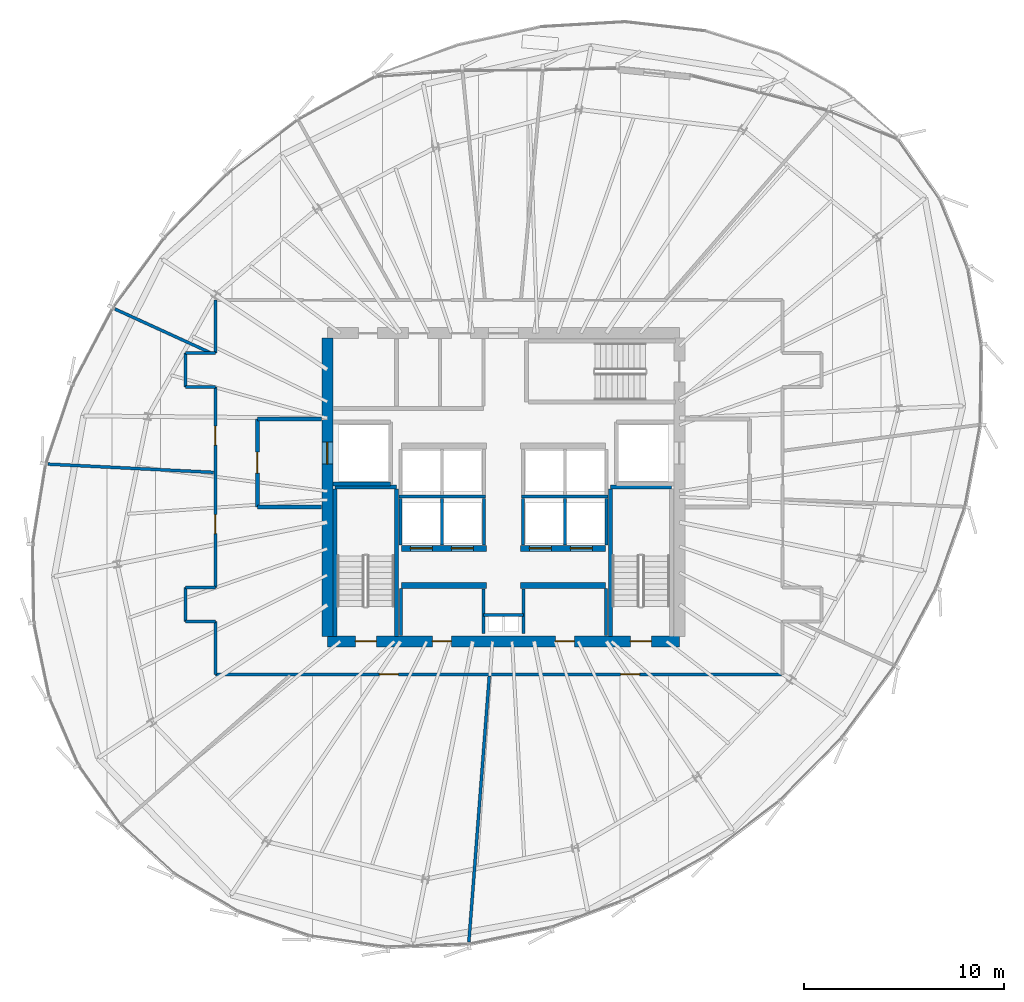
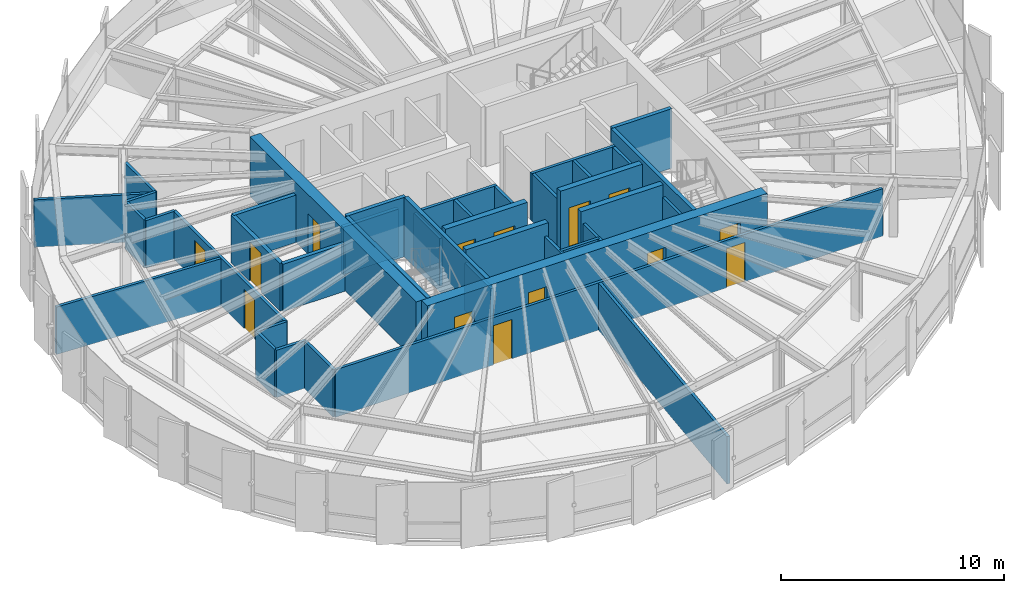
# One storey, part 32 of 37: 41 walls, 14 doors, 14 openings.
"""IFC4 building model written with IfcOpenShell, lengths in metres."""

from ifc_helpers import new_model, si_unit, direction, frame, frame_2d, origin, place, context, subcontext, project, spatial, rectangle, extrude, source, transform, mapped, material, layer, layer_set, type_object, element, fill, save


model = new_model("IFC4")

# Units and contexts
model_context = context("Model", 3, precision=1e-05, world=origin(), true_north=direction((0.0, 1.0)))
body_context = subcontext(model_context, "Body", "Model", "MODEL_VIEW")
ifc_project = project(units=[si_unit("LENGTHUNIT", "METRE"), si_unit("AREAUNIT", "SQUARE_METRE"), si_unit("VOLUMEUNIT", "CUBIC_METRE"), si_unit("PLANEANGLEUNIT", "RADIAN"), si_unit("MASSUNIT", "GRAM", prefix="KILO"), si_unit("THERMODYNAMICTEMPERATUREUNIT", "KELVIN")], contexts=[model_context])

# Site, building, storey
site_placement = place(None, origin())
site = spatial("IfcSite", under=ifc_project, at=site_placement, CompositionType="ELEMENT")
building_placement = place(site_placement, origin())
building = spatial("IfcBuilding", under=site, at=building_placement, Name="Kethvar Cultural Tower", CompositionType="ELEMENT")
storey_placement = place(building_placement, frame((0.0, 0.0, 200.89990234375)))
storey = spatial("IfcBuildingStorey", under=building, at=storey_placement, Name="L52", CompositionType="ELEMENT", Elevation=200.89990234375)

# Wall, openings, doors
ifc_material_1 = material(Name="Concrete C60/75", Category="concrete")
ifc_layer_1 = layer(ifc_material_1, 0.550048828125, Name="Concrete C60/75", Category="concrete")
ifc_layer_set_1 = layer_set([ifc_layer_1], Name="Concrete C60/75 (550 mm)")
wall_type_1 = type_object("IfcWallType", Name="WL-CORE-550", PredefinedType="SHEAR", material=ifc_layer_set_1)
wall_1_placement = place(storey_placement, frame((38.0, 20.10009765625, 0.0), z_axis=(0.0, 0.0, 1.0), x_axis=(1.0, 0.0, 0.0)))
wall_1 = element("IfcWall", 1, at=wall_1_placement, inside=storey, type_object=wall_type_1, Name="L52 Core Shear Wall S", PredefinedType="SHEAR", context=body_context, shape_type="SweptSolid", body=[
    extrude(rectangle(XDim=17.60009765625, YDim=0.550048828125, at=frame_2d((8.800048828125, 0.0))), origin(), (0.0, 0.0, 1.0), 3.260009765625),
])
opening_1_placement = place(wall_1_placement, frame((1.39990234375, 0.0, 0.0)))
opening_1 = element("IfcOpeningElement", 2, at=opening_1_placement, cuts=wall_1, Name="Opening D-L52-S1", PredefinedType="OPENING", context=body_context, shape_type="SweptSolid", body=[
    extrude(rectangle(XDim=1.050048828125, YDim=2.14990234375, at=frame_2d((0.52490234375, 1.074951171875))), frame((0.0, 0.284912109375, 0.0), z_axis=(0.0, -1.0, 0.0), x_axis=(1.0, 0.0, 0.0)), (0.0, 0.0, 1.0), 0.570068359375),
])
opening_2_placement = place(wall_1_placement, frame((15.14990234375, 0.0, 0.0)))
opening_2 = element("IfcOpeningElement", 3, at=opening_2_placement, cuts=wall_1, Name="Opening D-L52-ST2", PredefinedType="OPENING", context=body_context, shape_type="SweptSolid", body=[
    extrude(rectangle(XDim=1.050048828125, YDim=2.14990234375, at=frame_2d((0.52490234375, 1.074951171875))), frame((0.0, 0.284912109375, 0.0), z_axis=(0.0, -1.0, 0.0), x_axis=(1.0, 0.0, 0.0)), (0.0, 0.0, 1.0), 0.570068359375),
])
opening_3_placement = place(wall_1_placement, frame((5.25, 0.0, 0.0)))
opening_3 = element("IfcOpeningElement", 4, at=opening_3_placement, cuts=wall_1, Name="Opening D-L52-V1", PredefinedType="OPENING", context=body_context, shape_type="SweptSolid", body=[
    extrude(rectangle(XDim=0.949951171875, YDim=2.14990234375, at=frame_2d((0.47509765625, 1.074951171875))), frame((0.0, 0.284912109375, 0.0), z_axis=(0.0, -1.0, 0.0), x_axis=(1.0, 0.0, 0.0)), (0.0, 0.0, 1.0), 0.570068359375),
])
opening_4_placement = place(wall_1_placement, frame((11.39990234375, 0.0, 0.0)))
opening_4 = element("IfcOpeningElement", 5, at=opening_4_placement, cuts=wall_1, Name="Opening D-L52-V2", PredefinedType="OPENING", context=body_context, shape_type="SweptSolid", body=[
    extrude(rectangle(XDim=0.949951171875, YDim=2.14990234375, at=frame_2d((0.47509765625, 1.074951171875))), frame((0.0, 0.284912109375, 0.0), z_axis=(0.0, -1.0, 0.0), x_axis=(1.0, 0.0, 0.0)), (0.0, 0.0, 1.0), 0.570068359375),
])
ifc_material_2 = material(Name="Steel S355J2", Category="steel")
door_type_1 = type_object("IfcDoorType", Name="DR-FD60-1050", OperationType="NOTDEFINED", PredefinedType="DOOR", material=ifc_material_2)
shared_shape_1 = source(origin(), body_context, "Body", "SweptSolid", [
    extrude(rectangle(XDim=1.050048828125, YDim=2.14990234375, at=frame_2d((0.52490234375, 1.074951171875))), frame((0.0, 0.02490234375, 0.0), z_axis=(0.0, -1.0, 0.0), x_axis=(1.0, 0.0, 0.0)), (0.0, 0.0, 1.0), 0.050048828125),
])
door_1_placement = place(opening_1_placement, origin())
door_1 = element("IfcDoor", 6, at=door_1_placement, inside=storey, type_object=door_type_1, Name="L52 Exit Stair 1 Door", OperationType="SINGLE_SWING_LEFT", OverallHeight=2.14990234375, OverallWidth=1.050048828125, PredefinedType="DOOR", context=body_context, shape_type="MappedRepresentation", body=[
    mapped(shared_shape_1, transform((0.0, 0.0, 0.0), scale=1.0)),
])
fill(opening_1, door_1)
door_2_placement = place(opening_2_placement, origin())
door_2 = element("IfcDoor", 7, at=door_2_placement, inside=storey, type_object=door_type_1, Name="L52 Exit Stair 2 Door", OperationType="SINGLE_SWING_RIGHT", OverallHeight=2.14990234375, OverallWidth=1.050048828125, PredefinedType="DOOR", context=body_context, shape_type="MappedRepresentation", body=[
    mapped(shared_shape_1, transform((0.0, 0.0, 0.0), scale=1.0)),
])
fill(opening_2, door_2)
ifc_material_3 = material(Name="Architectural Oak Timber", Category="wood")
door_type_2 = type_object("IfcDoorType", Name="DR-FD30-950", OperationType="NOTDEFINED", PredefinedType="DOOR", material=ifc_material_3)
shared_shape_2 = source(origin(), body_context, "Body", "SweptSolid", [
    extrude(rectangle(XDim=0.949951171875, YDim=2.14990234375, at=frame_2d((0.47509765625, 1.074951171875))), frame((0.0, 0.02490234375, 0.0), z_axis=(0.0, -1.0, 0.0), x_axis=(1.0, 0.0, 0.0)), (0.0, 0.0, 1.0), 0.050048828125),
])
door_3_placement = place(opening_3_placement, origin())
door_3 = element("IfcDoor", 8, at=door_3_placement, inside=storey, type_object=door_type_2, Name="L52 Reclaimed West Room Door", OperationType="SINGLE_SWING_LEFT", OverallHeight=2.14990234375, OverallWidth=0.949951171875, PredefinedType="DOOR", context=body_context, shape_type="MappedRepresentation", body=[
    mapped(shared_shape_2, transform((0.0, 0.0, 0.0), scale=1.0)),
])
fill(opening_3, door_3)
door_4_placement = place(opening_4_placement, origin())
door_4 = element("IfcDoor", 9, at=door_4_placement, inside=storey, type_object=door_type_2, Name="L52 Reclaimed East Room Door", OperationType="SINGLE_SWING_RIGHT", OverallHeight=2.14990234375, OverallWidth=0.949951171875, PredefinedType="DOOR", context=body_context, shape_type="MappedRepresentation", body=[
    mapped(shared_shape_2, transform((0.0, 0.0, 0.0), scale=1.0)),
])
fill(opening_4, door_4)

# Wall, opening, door
wall_2_placement = place(storey_placement, frame((38.0, 35.260009765625, 0.0), z_axis=(0.0, 0.0, 1.0), x_axis=(0.0, -1.0, 0.0)))
wall_2 = element("IfcWall", 10, at=wall_2_placement, inside=storey, type_object=wall_type_1, Name="L52 Core Shear Wall W", PredefinedType="SHEAR", context=body_context, shape_type="SweptSolid", body=[
    extrude(rectangle(XDim=14.919921875, YDim=0.550048828125, at=frame_2d((7.4599609375, 0.0))), origin(), (0.0, 0.0, 1.0), 3.260009765625),
])
opening_5_placement = place(wall_2_placement, frame((5.2099609375, 0.0, 0.0)))
opening_5 = element("IfcOpeningElement", 11, at=opening_5_placement, cuts=wall_2, Name="Opening LD-1", PredefinedType="OPENING", context=body_context, shape_type="SweptSolid", body=[
    extrude(rectangle(XDim=1.10009765625, YDim=2.199951171875, at=frame_2d((0.550048828125, 1.10009765625))), frame((0.0, 0.284912109375, 0.0), z_axis=(0.0, -1.0, 0.0), x_axis=(1.0, 0.0, 0.0)), (0.0, 0.0, 1.0), 0.570068359375),
])
door_type_3 = type_object("IfcDoorType", Name="DR-LIFT-SLIDE-1100", OperationType="NOTDEFINED", PredefinedType="DOOR", material=ifc_material_2)
shared_shape_3 = source(origin(), body_context, "Body", "SweptSolid", [
    extrude(rectangle(XDim=1.10009765625, YDim=2.199951171875, at=frame_2d((0.550048828125, 1.10009765625))), frame((0.0, 0.02490234375, 0.0), z_axis=(0.0, -1.0, 0.0), x_axis=(1.0, 0.0, 0.0)), (0.0, 0.0, 1.0), 0.050048828125),
])
door_5_placement = place(opening_5_placement, origin())
door_5 = element("IfcDoor", 12, at=door_5_placement, inside=storey, type_object=door_type_3, Name="L52 Firefighting Lift Landing Door FFL-01", OperationType="SLIDING_TO_LEFT", OverallHeight=2.199951171875, OverallWidth=1.10009765625, PredefinedType="DOOR", context=body_context, shape_type="MappedRepresentation", body=[
    mapped(shared_shape_3, transform((0.0, 0.0, 0.0), scale=1.0)),
])
fill(opening_5, door_5)

# Walls
ifc_material_4 = material(Name="Gypsum Fireboard Partition")
ifc_layer_2 = layer(ifc_material_4, 0.14990234375, Name="Gypsum Fireboard Partition")
ifc_layer_set_2 = layer_set([ifc_layer_2], Name="Gypsum Fireboard Partition (150 mm)")
wall_type_2 = type_object("IfcWallType", Name="WL-FIRE-150", PredefinedType="PARTITIONING", material=ifc_layer_set_2)
wall_3_placement = place(storey_placement, frame((45.800048828125, 21.419921875, 0.0), z_axis=(0.0, 0.0, 1.0), x_axis=(1.0, 0.0, 0.0)))
element("IfcWall", 13, at=wall_3_placement, inside=storey, type_object=wall_type_2, Name="L52 Core Riser Wall", PredefinedType="PARTITIONING", context=body_context, shape_type="SweptSolid", body=[
    extrude(rectangle(XDim=2.0, YDim=0.14990234375, at=frame_2d((1.0, 0.0))), origin(), (0.0, 0.0, 1.0), 2.59521484375),
])
for number, where, z_axis, x_axis, name in (
    (14, (45.800048828125, 20.47998046875, 0.0), (0.0, 0.0, 1.0), (0.0, 1.0, 0.0), "L52 Core Riser West Wall"),
    (15, (47.800048828125, 20.47998046875, 0.0), (0.0, 0.0, 1.0), (0.0, 1.0, 0.0), "L52 Core Riser East Wall"),
):
    element("IfcWall", number, at=place(storey_placement, frame(where, z_axis=z_axis, x_axis=x_axis)), inside=storey, type_object=wall_type_2, Name=name, PredefinedType="PARTITIONING", context=body_context, shape_type="SweptSolid", body=[
        extrude(rectangle(XDim=2.239990234375, YDim=0.14990234375, at=frame_2d((1.1201171875, 0.0))), origin(), (0.0, 0.0, 1.0), 2.59521484375),
    ])
for number, where, z_axis, x_axis, name in (
    (16, (41.679931640625, 20.385009765625, 0.0), (0.0, 0.0, 1.0), (0.0, 1.0, 0.0), "L52 Reclaimed West Outer Wall"),
    (17, (51.919921875, 20.385009765625, 0.0), (0.0, 0.0, 1.0), (0.0, 1.0, 0.0), "L52 Reclaimed East Outer Wall"),
):
    element("IfcWall", number, at=place(storey_placement, frame(where, z_axis=z_axis, x_axis=x_axis)), inside=storey, type_object=wall_type_2, Name=name, PredefinedType="PARTITIONING", context=body_context, shape_type="SweptSolid", body=[
        extrude(rectangle(XDim=2.344970703125, YDim=0.14990234375, at=frame_2d((1.17236328125, 0.0))), origin(), (0.0, 0.0, 1.0), 2.59521484375),
    ])
wall_4_placement = place(storey_placement, frame((41.580078125, 27.324951171875, 0.0), z_axis=(0.0, 0.0, 1.0), x_axis=(1.0, 0.0, 0.0)))
element("IfcWall", 18, at=wall_4_placement, inside=storey, type_object=wall_type_2, Name="L52 Mid-High Lift Shaft Back Wall W", PredefinedType="PARTITIONING", context=body_context, shape_type="SweptSolid", body=[
    extrude(rectangle(XDim=4.31982421875, YDim=0.14990234375, at=frame_2d((2.159912109375, 0.0))), origin(), (0.0, 0.0, 1.0), 2.59521484375),
])
wall_5_placement = place(storey_placement, frame((47.699951171875, 27.324951171875, 0.0), z_axis=(0.0, 0.0, 1.0), x_axis=(1.0, 0.0, 0.0)))
element("IfcWall", 19, at=wall_5_placement, inside=storey, type_object=wall_type_2, Name="L52 Mid-High Lift Shaft Back Wall E", PredefinedType="PARTITIONING", context=body_context, shape_type="SweptSolid", body=[
    extrude(rectangle(XDim=4.320068359375, YDim=0.14990234375, at=frame_2d((2.16015625, 0.0))), origin(), (0.0, 0.0, 1.0), 2.59521484375),
])
for number, where, z_axis, x_axis, name in (
    (20, (41.64990234375, 24.919921875, 0.0), (0.0, 0.0, 1.0), (0.0, 1.0, 0.0), "L52 Mid-Rise Lift Shaft Outer Wall W"),
    (21, (43.72509765625, 24.919921875, 0.0), (0.0, 0.0, 1.0), (0.0, 1.0, 0.0), "L52 Mid-Rise Lift Shaft Divider W"),
    (22, (45.824951171875, 24.919921875, 0.0), (0.0, 0.0, 1.0), (0.0, 1.0, 0.0), "L52 Mid-Rise Lift Shaft Concourse Wall W"),
    (23, (47.77490234375, 24.919921875, 0.0), (0.0, 0.0, 1.0), (0.0, 1.0, 0.0), "L52 Mid-Rise Lift Shaft Concourse Wall E"),
    (24, (49.875, 24.919921875, 0.0), (0.0, 0.0, 1.0), (0.0, 1.0, 0.0), "L52 Mid-Rise Lift Shaft Divider E"),
    (25, (51.949951171875, 24.919921875, 0.0), (0.0, 0.0, 1.0), (0.0, 1.0, 0.0), "L52 Mid-Rise Lift Shaft Outer Wall E"),
):
    element("IfcWall", number, at=place(storey_placement, frame(where, z_axis=z_axis, x_axis=x_axis)), inside=storey, type_object=wall_type_2, Name=name, PredefinedType="PARTITIONING", context=body_context, shape_type="SweptSolid", body=[
        extrude(rectangle(XDim=2.320068359375, YDim=0.14990234375, at=frame_2d((1.16015625, 0.0))), origin(), (0.0, 0.0, 1.0), 2.59521484375),
    ])

# Wall, openings, doors
wall_6_placement = place(storey_placement, frame((32.39990234375, 18.449951171875, 0.0), z_axis=(0.0, 0.0, 1.0), x_axis=(1.0, 0.0, 0.0)))
wall_6 = element("IfcWall", 26, at=wall_6_placement, inside=storey, type_object=wall_type_2, Name="L52 Corridor Rated Wall S", PredefinedType="PARTITIONING", context=body_context, shape_type="SweptSolid", body=[
    extrude(rectangle(XDim=28.35009765625, YDim=0.14990234375, at=frame_2d((14.175048828125, 0.0))), origin(), (0.0, 0.0, 1.0), 2.59521484375),
])
opening_6_placement = place(wall_6_placement, frame((8.20166015625, 0.0, 0.0)))
opening_6 = element("IfcOpeningElement", 27, at=opening_6_placement, cuts=wall_6, Name="Opening D-L52-01", PredefinedType="OPENING", context=body_context, shape_type="SweptSolid", body=[
    extrude(rectangle(XDim=0.949951171875, YDim=2.14990234375, at=frame_2d((0.47509765625, 1.074951171875))), frame((0.0, 0.0849609375, 0.0), z_axis=(0.0, -1.0, 0.0), x_axis=(1.0, 0.0, 0.0)), (0.0, 0.0, 1.0), 0.169921875),
])
opening_7_placement = place(wall_6_placement, frame((20.2607421875, 0.0, 0.0)))
opening_7 = element("IfcOpeningElement", 28, at=opening_7_placement, cuts=wall_6, Name="Opening D-L52-02", PredefinedType="OPENING", context=body_context, shape_type="SweptSolid", body=[
    extrude(rectangle(XDim=0.949951171875, YDim=2.14990234375, at=frame_2d((0.47509765625, 1.074951171875))), frame((0.0, 0.0849609375, 0.0), z_axis=(0.0, -1.0, 0.0), x_axis=(1.0, 0.0, 0.0)), (0.0, 0.0, 1.0), 0.169921875),
])
door_6_placement = place(opening_6_placement, origin())
door_6 = element("IfcDoor", 29, at=door_6_placement, inside=storey, type_object=door_type_2, Name="L52 Policy Research Workspace 01 Door", OperationType="SINGLE_SWING_LEFT", OverallHeight=2.14990234375, OverallWidth=0.949951171875, PredefinedType="DOOR", context=body_context, shape_type="MappedRepresentation", body=[
    mapped(shared_shape_2, transform((0.0, 0.0, 0.0), scale=1.0)),
])
fill(opening_6, door_6)
door_7_placement = place(opening_7_placement, origin())
door_7 = element("IfcDoor", 30, at=door_7_placement, inside=storey, type_object=door_type_2, Name="L52 Fellows' Study Workspace 02 Door", OperationType="SINGLE_SWING_RIGHT", OverallHeight=2.14990234375, OverallWidth=0.949951171875, PredefinedType="DOOR", context=body_context, shape_type="MappedRepresentation", body=[
    mapped(shared_shape_2, transform((0.0, 0.0, 0.0), scale=1.0)),
])
fill(opening_7, door_7)

# Walls
wall_7_placement = place(storey_placement, frame((32.39990234375, 37.14990234375, 0.0), z_axis=(0.0, 0.0, 1.0), x_axis=(0.0, -1.0, 0.0)))
element("IfcWall", 31, at=wall_7_placement, inside=storey, type_object=wall_type_2, Name="L52 Corridor Rated Wall W2", PredefinedType="PARTITIONING", context=body_context, shape_type="SweptSolid", body=[
    extrude(rectangle(XDim=2.64990234375, YDim=0.14990234375, at=frame_2d((1.324951171875, 0.0))), origin(), (0.0, 0.0, 1.0), 2.59521484375),
])
wall_8_placement = place(storey_placement, frame((32.39990234375, 34.5, 0.0), z_axis=(0.0, 0.0, 1.0), x_axis=(-1.0, 0.0, 0.0)))
element("IfcWall", 32, at=wall_8_placement, inside=storey, type_object=wall_type_2, Name="L52 Corridor Rated Wall WNT", PredefinedType="PARTITIONING", context=body_context, shape_type="SweptSolid", body=[
    extrude(rectangle(XDim=1.5, YDim=0.14990234375, at=frame_2d((0.75, 0.0))), origin(), (0.0, 0.0, 1.0), 2.59521484375),
])
wall_9_placement = place(storey_placement, frame((30.89990234375, 34.5, 0.0), z_axis=(0.0, 0.0, 1.0), x_axis=(0.0, -1.0, 0.0)))
element("IfcWall", 33, at=wall_9_placement, inside=storey, type_object=wall_type_2, Name="L52 Corridor Rated Wall WN", PredefinedType="PARTITIONING", context=body_context, shape_type="SweptSolid", body=[
    extrude(rectangle(XDim=1.699951171875, YDim=0.14990234375, at=frame_2d((0.85009765625, 0.0))), origin(), (0.0, 0.0, 1.0), 2.59521484375),
])
wall_10_placement = place(storey_placement, frame((30.89990234375, 32.800048828125, 0.0), z_axis=(0.0, 0.0, 1.0), x_axis=(1.0, 0.0, 0.0)))
element("IfcWall", 34, at=wall_10_placement, inside=storey, type_object=wall_type_2, Name="L52 Corridor Rated Wall WNB", PredefinedType="PARTITIONING", context=body_context, shape_type="SweptSolid", body=[
    extrude(rectangle(XDim=1.5, YDim=0.14990234375, at=frame_2d((0.75, 0.0))), origin(), (0.0, 0.0, 1.0), 2.59521484375),
])

# Wall, openings, doors
wall_11_placement = place(storey_placement, frame((32.39990234375, 32.800048828125, 0.0), z_axis=(0.0, 0.0, 1.0), x_axis=(0.0, -1.0, 0.0)))
wall_11 = element("IfcWall", 35, at=wall_11_placement, inside=storey, type_object=wall_type_2, Name="L52 Corridor Rated Wall WM", PredefinedType="PARTITIONING", context=body_context, shape_type="SweptSolid", body=[
    extrude(rectangle(XDim=10.0, YDim=0.14990234375, at=frame_2d((5.0, 0.0))), origin(), (0.0, 0.0, 1.0), 2.59521484375),
])
opening_8_placement = place(wall_11_placement, frame((1.946044921875, 0.0, 0.0)))
opening_8 = element("IfcOpeningElement", 36, at=opening_8_placement, cuts=wall_11, Name="Opening D-L52-10", PredefinedType="OPENING", context=body_context, shape_type="SweptSolid", body=[
    extrude(rectangle(XDim=0.949951171875, YDim=2.14990234375, at=frame_2d((0.47509765625, 1.074951171875))), frame((0.0, 0.0849609375, 0.0), z_axis=(0.0, -1.0, 0.0), x_axis=(1.0, 0.0, 0.0)), (0.0, 0.0, 1.0), 0.169921875),
])
opening_9_placement = place(wall_11_placement, frame((6.365966796875, 0.0, 0.0)))
opening_9 = element("IfcOpeningElement", 37, at=opening_9_placement, cuts=wall_11, Name="Opening D-L52-11", PredefinedType="OPENING", context=body_context, shape_type="SweptSolid", body=[
    extrude(rectangle(XDim=0.949951171875, YDim=2.14990234375, at=frame_2d((0.47509765625, 1.074951171875))), frame((0.0, 0.0849609375, 0.0), z_axis=(0.0, -1.0, 0.0), x_axis=(1.0, 0.0, 0.0)), (0.0, 0.0, 1.0), 0.169921875),
])
door_8_placement = place(opening_8_placement, origin())
door_8 = element("IfcDoor", 38, at=door_8_placement, inside=storey, type_object=door_type_2, Name="L52 Patron Reception 10 Door", OperationType="SINGLE_SWING_RIGHT", OverallHeight=2.14990234375, OverallWidth=0.949951171875, PredefinedType="DOOR", context=body_context, shape_type="MappedRepresentation", body=[
    mapped(shared_shape_2, transform((0.0, 0.0, 0.0), scale=1.0)),
])
fill(opening_8, door_8)
door_9_placement = place(opening_9_placement, origin())
door_9 = element("IfcDoor", 39, at=door_9_placement, inside=storey, type_object=door_type_2, Name="L52 First Aid Room 11 Door", OperationType="SINGLE_SWING_LEFT", OverallHeight=2.14990234375, OverallWidth=0.949951171875, PredefinedType="DOOR", context=body_context, shape_type="MappedRepresentation", body=[
    mapped(shared_shape_2, transform((0.0, 0.0, 0.0), scale=1.0)),
])
fill(opening_9, door_9)

# Walls
wall_12_placement = place(storey_placement, frame((32.39990234375, 22.800048828125, 0.0), z_axis=(0.0, 0.0, 1.0), x_axis=(-1.0, 0.0, 0.0)))
element("IfcWall", 40, at=wall_12_placement, inside=storey, type_object=wall_type_2, Name="L52 Corridor Rated Wall WST", PredefinedType="PARTITIONING", context=body_context, shape_type="SweptSolid", body=[
    extrude(rectangle(XDim=1.5, YDim=0.14990234375, at=frame_2d((0.75, 0.0))), origin(), (0.0, 0.0, 1.0), 2.59521484375),
])
wall_13_placement = place(storey_placement, frame((30.89990234375, 22.800048828125, 0.0), z_axis=(0.0, 0.0, 1.0), x_axis=(0.0, -1.0, 0.0)))
element("IfcWall", 41, at=wall_13_placement, inside=storey, type_object=wall_type_2, Name="L52 Corridor Rated Wall WS", PredefinedType="PARTITIONING", context=body_context, shape_type="SweptSolid", body=[
    extrude(rectangle(XDim=1.699951171875, YDim=0.14990234375, at=frame_2d((0.85009765625, 0.0))), origin(), (0.0, 0.0, 1.0), 2.59521484375),
])
wall_14_placement = place(storey_placement, frame((30.89990234375, 21.10009765625, 0.0), z_axis=(0.0, 0.0, 1.0), x_axis=(1.0, 0.0, 0.0)))
element("IfcWall", 42, at=wall_14_placement, inside=storey, type_object=wall_type_2, Name="L52 Corridor Rated Wall WSB", PredefinedType="PARTITIONING", context=body_context, shape_type="SweptSolid", body=[
    extrude(rectangle(XDim=1.5, YDim=0.14990234375, at=frame_2d((0.75, 0.0))), origin(), (0.0, 0.0, 1.0), 2.59521484375),
])
wall_15_placement = place(storey_placement, frame((32.39990234375, 21.10009765625, 0.0), z_axis=(0.0, 0.0, 1.0), x_axis=(0.0, -1.0, 0.0)))
element("IfcWall", 43, at=wall_15_placement, inside=storey, type_object=wall_type_2, Name="L52 Corridor Rated Wall W1", PredefinedType="PARTITIONING", context=body_context, shape_type="SweptSolid", body=[
    extrude(rectangle(XDim=2.650146484375, YDim=0.14990234375, at=frame_2d((1.3251953125, 0.0))), origin(), (0.0, 0.0, 1.0), 2.59521484375),
])
ifc_material_5 = material(Name="Concrete C40/50", Category="concrete")
ifc_layer_3 = layer(ifc_material_5, 0.199951171875, Name="Concrete C40/50", Category="concrete")
ifc_layer_set_3 = layer_set([ifc_layer_3], Name="Concrete C40/50 (200 mm)")
wall_type_3 = type_object("IfcWallType", Name="WL-FIRE-200", PredefinedType="PARTITIONING", material=ifc_layer_set_3)
wall_16_placement = place(storey_placement, frame((38.284912109375, 27.949951171875, 0.0), z_axis=(0.0, 0.0, 1.0), x_axis=(1.0, 0.0, 0.0)))
element("IfcWall", 44, at=wall_16_placement, inside=storey, type_object=wall_type_3, Name="L52 FFL-01 Shaft South Wall", PredefinedType="PARTITIONING", context=body_context, shape_type="SweptSolid", body=[
    extrude(rectangle(XDim=2.864990234375, YDim=0.199951171875, at=frame_2d((1.4326171875, 0.0))), origin(), (0.0, 0.0, 1.0), 2.59521484375),
])

# Wall, opening, door
wall_17_placement = place(storey_placement, frame((34.5, 31.199951171875, 0.0), z_axis=(0.0, 0.0, 1.0), x_axis=(0.0, -1.0, 0.0)))
wall_17 = element("IfcWall", 45, at=wall_17_placement, inside=storey, type_object=wall_type_3, Name="L52 Firefighting Lobby 1 Wall", PredefinedType="PARTITIONING", context=body_context, shape_type="SweptSolid", body=[
    extrude(rectangle(XDim=4.39990234375, YDim=0.199951171875, at=frame_2d((2.199951171875, 0.0))), origin(), (0.0, 0.0, 1.0), 2.59521484375),
])
opening_10_placement = place(wall_17_placement, frame((1.64990234375, 0.0, 0.0)))
opening_10 = element("IfcOpeningElement", 46, at=opening_10_placement, cuts=wall_17, Name="Opening D-L52-F1", PredefinedType="OPENING", context=body_context, shape_type="SweptSolid", body=[
    extrude(rectangle(XDim=1.050048828125, YDim=2.14990234375, at=frame_2d((0.52490234375, 1.074951171875))), frame((0.0, 0.10986328125, 0.0), z_axis=(0.0, -1.0, 0.0), x_axis=(1.0, 0.0, 0.0)), (0.0, 0.0, 1.0), 0.219970703125),
])
door_10_placement = place(opening_10_placement, origin())
door_10 = element("IfcDoor", 47, at=door_10_placement, inside=storey, type_object=door_type_1, Name="L52 Firefighting Lobby 1 Fire Door", OperationType="SINGLE_SWING_LEFT", OverallHeight=2.14990234375, OverallWidth=1.050048828125, PredefinedType="DOOR", context=body_context, shape_type="MappedRepresentation", body=[
    mapped(shared_shape_1, transform((0.0, 0.0, 0.0), scale=1.0)),
])
fill(opening_10, door_10)

# Walls
for number, where, z_axis, x_axis, name in (
    (48, (34.5, 26.800048828125, 0.0), (0.0, 0.0, 1.0), (1.0, 0.0, 0.0), "L52 FF Lobby 1 South Wall"),
    (49, (34.5, 31.199951171875, 0.0), (0.0, 0.0, 1.0), (1.0, 0.0, 0.0), "L52 FF Lobby 1 North Wall"),
):
    element("IfcWall", number, at=place(storey_placement, frame(where, z_axis=z_axis, x_axis=x_axis)), inside=storey, type_object=wall_type_3, Name=name, PredefinedType="PARTITIONING", context=body_context, shape_type="SweptSolid", body=[
        extrude(rectangle(XDim=3.215087890625, YDim=0.199951171875, at=frame_2d((1.607421875, 0.0))), origin(), (0.0, 0.0, 1.0), 2.59521484375),
    ])
ifc_material_6 = material(Name="Gypsum Acoustic Partition")
ifc_layer_4 = layer(ifc_material_6, 0.14990234375, Name="Gypsum Acoustic Partition")
ifc_layer_set_4 = layer_set([ifc_layer_4], Name="Gypsum Acoustic Partition (150 mm)")
wall_type_4 = type_object("IfcWallType", Name="WL-PART-150", PredefinedType="PARTITIONING", material=ifc_layer_set_4)
wall_18_placement = place(storey_placement, frame((46.09619140625, 18.3701171875, 0.0), z_axis=(0.0, 0.0, 1.0), x_axis=(-0.076623710355, -0.997060081947, 0.0)))
element("IfcWall", 50, at=wall_18_placement, inside=storey, type_object=wall_type_4, Name="L52 Radial Partition Wall 02", PredefinedType="PARTITIONING", context=body_context, shape_type="SweptSolid", body=[
    extrude(rectangle(XDim=13.337646484375, YDim=0.14990234375, at=frame_2d((6.6689453125, 0.0))), origin(), (0.0, 0.0, 1.0), 2.59521484375),
])
wall_19_placement = place(storey_placement, frame((32.133056640625, 34.533203125, 0.0), z_axis=(0.0, 0.0, 1.0), x_axis=(-0.909241040679, 0.416270020474, 0.0)))
element("IfcWall", 51, at=wall_19_placement, inside=storey, type_object=wall_type_4, Name="L52 Radial Partition Wall 10", PredefinedType="PARTITIONING", context=body_context, shape_type="SweptSolid", body=[
    extrude(rectangle(XDim=5.223388671875, YDim=0.14990234375, at=frame_2d((2.61181640625, 0.0))), origin(), (0.0, 0.0, 1.0), 2.59521484375),
])
wall_20_placement = place(storey_placement, frame((32.320068359375, 28.541748046875, 0.0), z_axis=(0.0, 0.0, 1.0), x_axis=(-0.998762524817, 0.049733479891, 0.0)))
element("IfcWall", 52, at=wall_20_placement, inside=storey, type_object=wall_type_4, Name="L52 Radial Partition Wall 11", PredefinedType="PARTITIONING", context=body_context, shape_type="SweptSolid", body=[
    extrude(rectangle(XDim=8.291259765625, YDim=0.14990234375, at=frame_2d((4.1455078125, 0.0))), origin(), (0.0, 0.0, 1.0), 2.59521484375),
])
ifc_material_7 = material(Name="Concrete C50/60", Category="concrete")
ifc_layer_5 = layer(ifc_material_7, 0.300048828125, Name="Concrete C50/60", Category="concrete")
ifc_layer_set_5 = layer_set([ifc_layer_5], Name="Concrete C50/60 (300 mm)")
wall_type_5 = type_object("IfcWallType", Name="WL-SHAFT-300", PredefinedType="SHEAR", material=ifc_layer_set_5)
for number, where, z_axis, x_axis, name in (
    (53, (41.699951171875, 22.89990234375, 0.0), (0.0, 0.0, 1.0), (1.0, 0.0, 0.0), "L52 Core Lift Spine Wall MID1W"),
    (54, (47.64990234375, 22.89990234375, 0.0), (0.0, 0.0, 1.0), (1.0, 0.0, 0.0), "L52 Core Lift Spine Wall MID1E"),
):
    element("IfcWall", number, at=place(storey_placement, frame(where, z_axis=z_axis, x_axis=x_axis)), inside=storey, type_object=wall_type_5, Name=name, PredefinedType="SHEAR", context=body_context, shape_type="SweptSolid", body=[
        extrude(rectangle(XDim=4.25, YDim=0.300048828125, at=frame_2d((2.125, 0.0))), origin(), (0.0, 0.0, 1.0), 3.260009765625),
    ])

# Wall, openings, doors
wall_21_placement = place(storey_placement, frame((41.699951171875, 24.75, 0.0), z_axis=(0.0, 0.0, 1.0), x_axis=(1.0, 0.0, 0.0)))
wall_21 = element("IfcWall", 55, at=wall_21_placement, inside=storey, type_object=wall_type_5, Name="L52 Core Lift Spine Wall MID2W", PredefinedType="SHEAR", context=body_context, shape_type="SweptSolid", body=[
    extrude(rectangle(XDim=4.25, YDim=0.300048828125, at=frame_2d((2.125, 0.0))), origin(), (0.0, 0.0, 1.0), 3.260009765625),
])
opening_11_placement = place(wall_21_placement, frame((0.449951171875, 0.0, 0.0)))
opening_11 = element("IfcOpeningElement", 56, at=opening_11_placement, cuts=wall_21, Name="Opening LD-M1", PredefinedType="OPENING", context=body_context, shape_type="SweptSolid", body=[
    extrude(rectangle(XDim=1.10009765625, YDim=2.199951171875, at=frame_2d((0.550048828125, 1.10009765625))), frame((0.0, 0.159912109375, 0.0), z_axis=(0.0, -1.0, 0.0), x_axis=(1.0, 0.0, 0.0)), (0.0, 0.0, 1.0), 0.320068359375),
])
opening_12_placement = place(wall_21_placement, frame((2.5, 0.0, 0.0)))
opening_12 = element("IfcOpeningElement", 57, at=opening_12_placement, cuts=wall_21, Name="Opening LD-M2", PredefinedType="OPENING", context=body_context, shape_type="SweptSolid", body=[
    extrude(rectangle(XDim=1.10009765625, YDim=2.199951171875, at=frame_2d((0.550048828125, 1.10009765625))), frame((0.0, 0.159912109375, 0.0), z_axis=(0.0, -1.0, 0.0), x_axis=(1.0, 0.0, 0.0)), (0.0, 0.0, 1.0), 0.320068359375),
])
door_11_placement = place(opening_11_placement, origin())
door_11 = element("IfcDoor", 58, at=door_11_placement, inside=storey, type_object=door_type_3, Name="L52 Mid-Rise Lift Landing Door M1", OperationType="SLIDING_TO_RIGHT", OverallHeight=2.199951171875, OverallWidth=1.10009765625, PredefinedType="DOOR", context=body_context, shape_type="MappedRepresentation", body=[
    mapped(shared_shape_3, transform((0.0, 0.0, 0.0), scale=1.0)),
])
fill(opening_11, door_11)
door_12_placement = place(opening_12_placement, origin())
door_12 = element("IfcDoor", 59, at=door_12_placement, inside=storey, type_object=door_type_3, Name="L52 Mid-Rise Lift Landing Door M2", OperationType="SLIDING_TO_RIGHT", OverallHeight=2.199951171875, OverallWidth=1.10009765625, PredefinedType="DOOR", context=body_context, shape_type="MappedRepresentation", body=[
    mapped(shared_shape_3, transform((0.0, 0.0, 0.0), scale=1.0)),
])
fill(opening_12, door_12)

wall_22_placement = place(storey_placement, frame((47.64990234375, 24.75, 0.0), z_axis=(0.0, 0.0, 1.0), x_axis=(1.0, 0.0, 0.0)))
wall_22 = element("IfcWall", 60, at=wall_22_placement, inside=storey, type_object=wall_type_5, Name="L52 Core Lift Spine Wall MID2E", PredefinedType="SHEAR", context=body_context, shape_type="SweptSolid", body=[
    extrude(rectangle(XDim=4.25, YDim=0.300048828125, at=frame_2d((2.125, 0.0))), origin(), (0.0, 0.0, 1.0), 3.260009765625),
])
opening_13_placement = place(wall_22_placement, frame((0.449951171875, 0.0, 0.0)))
opening_13 = element("IfcOpeningElement", 61, at=opening_13_placement, cuts=wall_22, Name="Opening LD-M3", PredefinedType="OPENING", context=body_context, shape_type="SweptSolid", body=[
    extrude(rectangle(XDim=1.10009765625, YDim=2.199951171875, at=frame_2d((0.550048828125, 1.10009765625))), frame((0.0, 0.159912109375, 0.0), z_axis=(0.0, -1.0, 0.0), x_axis=(1.0, 0.0, 0.0)), (0.0, 0.0, 1.0), 0.320068359375),
])
opening_14_placement = place(wall_22_placement, frame((2.5, 0.0, 0.0)))
opening_14 = element("IfcOpeningElement", 62, at=opening_14_placement, cuts=wall_22, Name="Opening LD-M4", PredefinedType="OPENING", context=body_context, shape_type="SweptSolid", body=[
    extrude(rectangle(XDim=1.10009765625, YDim=2.199951171875, at=frame_2d((0.550048828125, 1.10009765625))), frame((0.0, 0.159912109375, 0.0), z_axis=(0.0, -1.0, 0.0), x_axis=(1.0, 0.0, 0.0)), (0.0, 0.0, 1.0), 0.320068359375),
])
door_13_placement = place(opening_13_placement, origin())
door_13 = element("IfcDoor", 63, at=door_13_placement, inside=storey, type_object=door_type_3, Name="L52 Mid-Rise Lift Landing Door M3", OperationType="SLIDING_TO_RIGHT", OverallHeight=2.199951171875, OverallWidth=1.10009765625, PredefinedType="DOOR", context=body_context, shape_type="MappedRepresentation", body=[
    mapped(shared_shape_3, transform((0.0, 0.0, 0.0), scale=1.0)),
])
fill(opening_13, door_13)
door_14_placement = place(opening_14_placement, origin())
door_14 = element("IfcDoor", 64, at=door_14_placement, inside=storey, type_object=door_type_3, Name="L52 Mid-Rise Lift Landing Door M4", OperationType="SLIDING_TO_RIGHT", OverallHeight=2.199951171875, OverallWidth=1.10009765625, PredefinedType="DOOR", context=body_context, shape_type="MappedRepresentation", body=[
    mapped(shared_shape_3, transform((0.0, 0.0, 0.0), scale=1.0)),
])
fill(opening_14, door_14)

# Walls
ifc_layer_6 = layer(ifc_material_7, 0.199951171875, Name="Concrete C50/60", Category="concrete")
ifc_layer_set_6 = layer_set([ifc_layer_6], Name="Concrete C50/60 (200 mm)")
wall_type_6 = type_object("IfcWallType", Name="WL-STSHAFT-200", PredefinedType="SHEAR", material=ifc_layer_set_6)
wall_23_placement = place(storey_placement, frame((38.389892578125, 27.800048828125, 0.0), z_axis=(0.0, 0.0, 1.0), x_axis=(1.0, 0.0, 0.0)))
element("IfcWall", 65, at=wall_23_placement, inside=storey, type_object=wall_type_6, Name="L52 ST-01 Stair Shaft Wall FAR", PredefinedType="SHEAR", context=body_context, shape_type="SweptSolid", body=[
    extrude(rectangle(XDim=3.06005859375, YDim=0.199951171875, at=frame_2d((1.530029296875, 0.0))), origin(), (0.0, 0.0, 1.0), 3.260009765625),
])
for number, where, z_axis, x_axis, name in (
    (66, (41.449951171875, 27.699951171875, 0.0), (0.0, 0.0, 1.0), (0.0, -1.0, 0.0), "L52 ST-01 Stair Shaft Wall LEFT"),
    (67, (38.389892578125, 20.35009765625, 0.0), (0.0, 0.0, 1.0), (0.0, 1.0, 0.0), "L52 ST-01 Stair Shaft Wall RIGHT"),
):
    element("IfcWall", number, at=place(storey_placement, frame(where, z_axis=z_axis, x_axis=x_axis)), inside=storey, type_object=wall_type_6, Name=name, PredefinedType="SHEAR", context=body_context, shape_type="SweptSolid", body=[
        extrude(rectangle(XDim=7.349853515625, YDim=0.199951171875, at=frame_2d((3.6748046875, 0.0))), origin(), (0.0, 0.0, 1.0), 3.260009765625),
    ])
wall_24_placement = place(storey_placement, frame((52.14990234375, 27.800048828125, 0.0), z_axis=(0.0, 0.0, 1.0), x_axis=(1.0, 0.0, 0.0)))
element("IfcWall", 68, at=wall_24_placement, inside=storey, type_object=wall_type_6, Name="L52 ST-02 Stair Shaft Wall FAR", PredefinedType="SHEAR", context=body_context, shape_type="SweptSolid", body=[
    extrude(rectangle(XDim=3.06005859375, YDim=0.199951171875, at=frame_2d((1.530029296875, 0.0))), origin(), (0.0, 0.0, 1.0), 3.260009765625),
])
wall_25_placement = place(storey_placement, frame((52.14990234375, 20.35009765625, 0.0), z_axis=(0.0, 0.0, 1.0), x_axis=(0.0, 1.0, 0.0)))
element("IfcWall", 69, at=wall_25_placement, inside=storey, type_object=wall_type_6, Name="L52 ST-02 Stair Shaft Wall RIGHT", PredefinedType="SHEAR", context=body_context, shape_type="SweptSolid", body=[
    extrude(rectangle(XDim=7.349853515625, YDim=0.199951171875, at=frame_2d((3.6748046875, 0.0))), origin(), (0.0, 0.0, 1.0), 3.260009765625),
])

save(model, "model.ifc")
